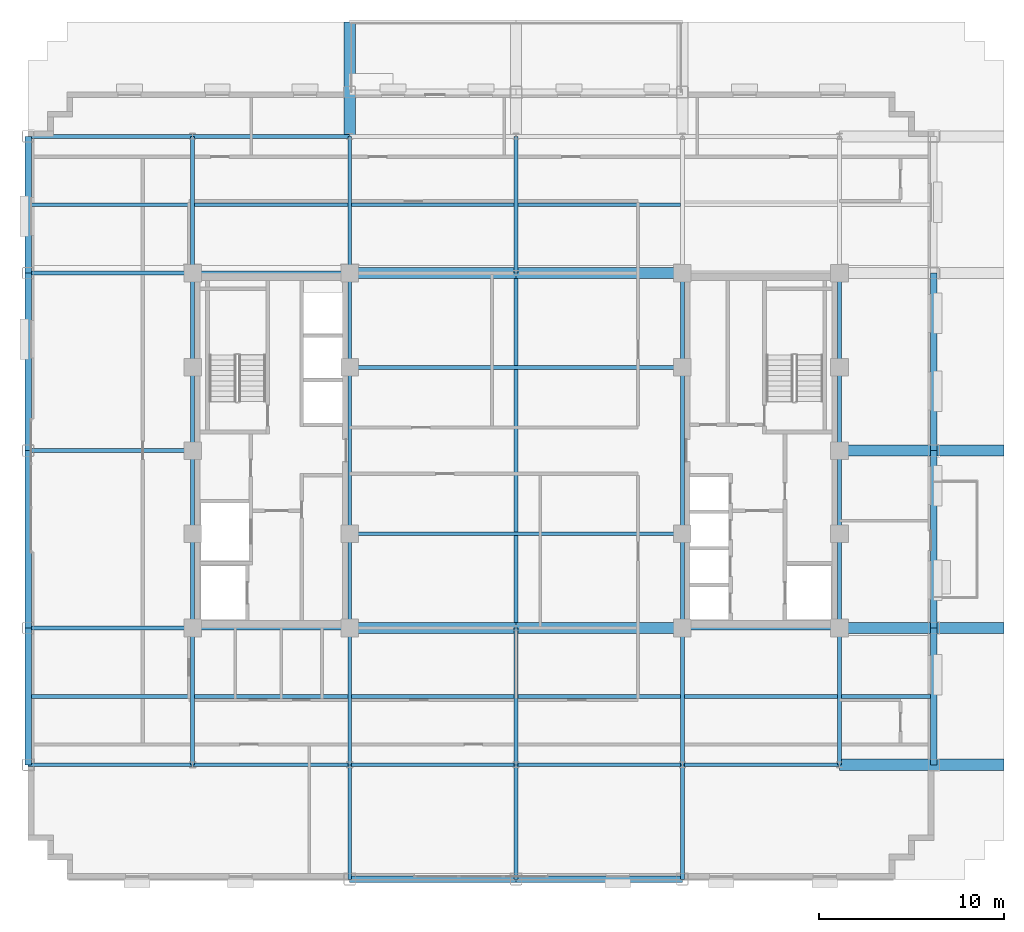
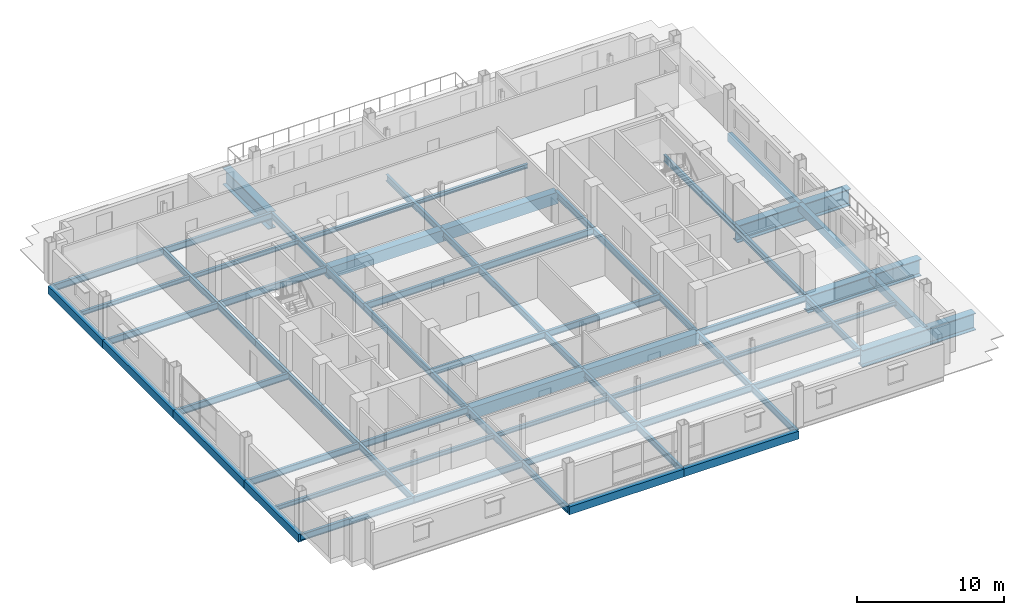
# One storey, part 5 of 17: 68 beams.
"""IFC4 building model written with IfcOpenShell, lengths in metres."""

from ifc_helpers import new_model, si_unit, direction, frame, origin, origin_2d, place, context, subcontext, project, spatial, rectangle, i_section, extrude, material, material_profile, profile_set, type_object, element, save


model = new_model("IFC4")

# Units and contexts
model_context = context("Model", 3, precision=1e-05, world=origin(), true_north=direction((0.0, 1.0)))
body_context = subcontext(model_context, "Body", "Model", "MODEL_VIEW")
ifc_project = project(units=[si_unit("LENGTHUNIT", "METRE"), si_unit("AREAUNIT", "SQUARE_METRE"), si_unit("VOLUMEUNIT", "CUBIC_METRE"), si_unit("PLANEANGLEUNIT", "RADIAN"), si_unit("MASSUNIT", "GRAM", prefix="KILO")], contexts=[model_context])

# Site, building, storey
site_placement = place(None, origin())
site = spatial("IfcSite", under=ifc_project, at=site_placement, CompositionType="ELEMENT")
building_placement = place(site_placement, origin())
building = spatial("IfcBuilding", under=site, at=building_placement, Name="Nuvemarco Arch Tower", CompositionType="ELEMENT")
storey_placement = place(building_placement, frame((0.0, 0.0, 167.64990234375)))
storey = spatial("IfcBuildingStorey", under=building, at=storey_placement, Name="L44", CompositionType="ELEMENT", Elevation=167.64990234375)

# Beams
ifc_material_1 = material(Name="Concrete C60/75", Category="concrete")
ifc_material_profile_1 = material_profile(ifc_material_1, rectangle(XDim=0.60009765625, YDim=0.949951171875, at=origin_2d()), Name="RC-BM-600x950")
ifc_profile_set_1 = profile_set([ifc_material_profile_1], Name="Concrete C60/75")
beam_type_1 = type_object("IfcBeamType", Name="BM-COUP-RC", PredefinedType="LINTEL", material=ifc_profile_set_1)
for number, where, z_axis, x_axis, name in (
    (1, (-9.0, -9.60009765625, -0.875), (1.0, 0.0, 0.0), (0.0, 1.0, 0.0), "L44 structural beam BGEW_L44_0_-9.6_-9.0"),
    (2, (0.0, -9.60009765625, -0.875), (1.0, 0.0, 0.0), (0.0, 1.0, 0.0), "L44 structural beam BGEW_L44_0_-9.6_+0.0"),
    (3, (-9.0, 9.60009765625, -0.875), (1.0, 0.0, 0.0), (0.0, 1.0, 0.0), "L44 structural beam BGEW_L44_0_+9.6_-9.0"),
    (4, (0.0, 9.60009765625, -0.875), (1.0, 0.0, 0.0), (0.0, 1.0, 0.0), "L44 structural beam BGEW_L44_0_+9.6_+0.0"),
):
    element("IfcBeam", number, at=place(storey_placement, frame(where, z_axis=z_axis, x_axis=x_axis)), inside=storey, type_object=beam_type_1, Name=name, PredefinedType="LINTEL", context=body_context, shape_type="SweptSolid", body=[
        extrude(rectangle(XDim=0.60009765625, YDim=0.949951171875, at=origin_2d()), origin(), (0.0, 0.0, 1.0), 9.0),
    ])
ifc_material_2 = material(Name="Steel S355", Category="steel")
ifc_material_profile_2 = material_profile(ifc_material_2, i_section(OverallWidth=0.2109375, OverallDepth=0.5390625, WebThickness=0.01171875, FlangeThickness=0.018798828125, FilletRadius=0.01611328125, at=origin_2d()), Name="W530x109")
ifc_profile_set_2 = profile_set([ifc_material_profile_2], Name="Steel S355")
beam_type_2 = type_object("IfcBeamType", Name="BM-GIRD-530", PredefinedType="BEAM", material=ifc_profile_set_2)
beam_1_placement = place(storey_placement, frame((-17.5, -17.0, -0.66943359375), z_axis=(0.0, 1.0, 0.0), x_axis=(-1.0, 0.0, 0.0)))
element("IfcBeam", 5, at=beam_1_placement, inside=storey, type_object=beam_type_2, Name="L44 structural beam BGNS_L44_0_-17.5_-17.0", PredefinedType="BEAM", context=body_context, shape_type="SweptSolid", body=[
    extrude(i_section(OverallWidth=0.2109375, OverallDepth=0.5390625, WebThickness=0.01171875, FlangeThickness=0.018798828125, FilletRadius=0.01611328125, at=origin_2d()), origin(), (0.0, 0.0, 1.0), 7.39990234375),
])
beam_2_placement = place(storey_placement, frame((-17.5, -9.60009765625, -0.66943359375), z_axis=(0.0, 1.0, 0.0), x_axis=(-1.0, 0.0, 0.0)))
element("IfcBeam", 6, at=beam_2_placement, inside=storey, type_object=beam_type_2, Name="L44 structural beam BGNS_L44_0_-17.5_-9.6", PredefinedType="BEAM", context=body_context, shape_type="SweptSolid", body=[
    extrude(i_section(OverallWidth=0.2109375, OverallDepth=0.5390625, WebThickness=0.01171875, FlangeThickness=0.018798828125, FilletRadius=0.01611328125, at=origin_2d()), origin(), (0.0, 0.0, 1.0), 5.10009765625),
])
for number, where, z_axis, x_axis, name in (
    (7, (-17.5, -4.5, -0.66943359375), (0.0, 1.0, 0.0), (-1.0, 0.0, 0.0), "L44 structural beam BGNS_L44_0_-17.5_-4.5"),
    (8, (-17.5, 0.0, -0.66943359375), (0.0, 1.0, 0.0), (-1.0, 0.0, 0.0), "L44 structural beam BGNS_L44_0_-17.5_+0.0"),
):
    element("IfcBeam", number, at=place(storey_placement, frame(where, z_axis=z_axis, x_axis=x_axis)), inside=storey, type_object=beam_type_2, Name=name, PredefinedType="BEAM", context=body_context, shape_type="SweptSolid", body=[
        extrude(i_section(OverallWidth=0.2109375, OverallDepth=0.5390625, WebThickness=0.01171875, FlangeThickness=0.018798828125, FilletRadius=0.01611328125, at=origin_2d()), origin(), (0.0, 0.0, 1.0), 4.5),
    ])
beam_3_placement = place(storey_placement, frame((-17.5, 4.5, -0.66943359375), z_axis=(0.0, 1.0, 0.0), x_axis=(-1.0, 0.0, 0.0)))
element("IfcBeam", 9, at=beam_3_placement, inside=storey, type_object=beam_type_2, Name="L44 structural beam BGNS_L44_0_-17.5_+4.5", PredefinedType="BEAM", context=body_context, shape_type="SweptSolid", body=[
    extrude(i_section(OverallWidth=0.2109375, OverallDepth=0.5390625, WebThickness=0.01171875, FlangeThickness=0.018798828125, FilletRadius=0.01611328125, at=origin_2d()), origin(), (0.0, 0.0, 1.0), 5.10009765625),
])
beam_4_placement = place(storey_placement, frame((-17.5, 9.60009765625, -0.66943359375), z_axis=(0.0, 1.0, 0.0), x_axis=(-1.0, 0.0, 0.0)))
element("IfcBeam", 10, at=beam_4_placement, inside=storey, type_object=beam_type_2, Name="L44 structural beam BGNS_L44_0_-17.5_+9.6", PredefinedType="BEAM", context=body_context, shape_type="SweptSolid", body=[
    extrude(i_section(OverallWidth=0.2109375, OverallDepth=0.5390625, WebThickness=0.01171875, FlangeThickness=0.018798828125, FilletRadius=0.01611328125, at=origin_2d()), origin(), (0.0, 0.0, 1.0), 7.39990234375),
])
beam_5_placement = place(storey_placement, frame((-9.0, -23.199951171875, -0.66943359375), z_axis=(0.0, 1.0, 0.0), x_axis=(-1.0, 0.0, 0.0)))
element("IfcBeam", 11, at=beam_5_placement, inside=storey, type_object=beam_type_2, Name="L44 structural beam BGNS_L44_0_-9.0_-23.2", PredefinedType="BEAM", context=body_context, shape_type="SweptSolid", body=[
    extrude(i_section(OverallWidth=0.2109375, OverallDepth=0.5390625, WebThickness=0.01171875, FlangeThickness=0.018798828125, FilletRadius=0.01611328125, at=origin_2d()), origin(), (0.0, 0.0, 1.0), 6.199951171875),
])
beam_6_placement = place(storey_placement, frame((-9.0, -17.0, -0.66943359375), z_axis=(0.0, 1.0, 0.0), x_axis=(-1.0, 0.0, 0.0)))
element("IfcBeam", 12, at=beam_6_placement, inside=storey, type_object=beam_type_2, Name="L44 structural beam BGNS_L44_0_-9.0_-17.0", PredefinedType="BEAM", context=body_context, shape_type="SweptSolid", body=[
    extrude(i_section(OverallWidth=0.2109375, OverallDepth=0.5390625, WebThickness=0.01171875, FlangeThickness=0.018798828125, FilletRadius=0.01611328125, at=origin_2d()), origin(), (0.0, 0.0, 1.0), 7.39990234375),
])
beam_7_placement = place(storey_placement, frame((-9.0, -9.60009765625, -0.66943359375), z_axis=(0.0, 1.0, 0.0), x_axis=(-1.0, 0.0, 0.0)))
element("IfcBeam", 13, at=beam_7_placement, inside=storey, type_object=beam_type_2, Name="L44 structural beam BGNS_L44_0_-9.0_-9.6", PredefinedType="BEAM", context=body_context, shape_type="SweptSolid", body=[
    extrude(i_section(OverallWidth=0.2109375, OverallDepth=0.5390625, WebThickness=0.01171875, FlangeThickness=0.018798828125, FilletRadius=0.01611328125, at=origin_2d()), origin(), (0.0, 0.0, 1.0), 5.10009765625),
])
beam_8_placement = place(storey_placement, frame((-9.0, -4.5, -0.66943359375), z_axis=(0.0, 1.0, 0.0), x_axis=(-1.0, 0.0, 0.0)))
element("IfcBeam", 14, at=beam_8_placement, inside=storey, type_object=beam_type_2, Name="L44 structural beam BGNS_L44_0_-9.0_-4.5", PredefinedType="BEAM", context=body_context, shape_type="SweptSolid", body=[
    extrude(i_section(OverallWidth=0.2109375, OverallDepth=0.5390625, WebThickness=0.01171875, FlangeThickness=0.018798828125, FilletRadius=0.01611328125, at=origin_2d()), origin(), (0.0, 0.0, 1.0), 9.0),
])
beam_9_placement = place(storey_placement, frame((-9.0, 4.5, -0.66943359375), z_axis=(0.0, 1.0, 0.0), x_axis=(-1.0, 0.0, 0.0)))
element("IfcBeam", 15, at=beam_9_placement, inside=storey, type_object=beam_type_2, Name="L44 structural beam BGNS_L44_0_-9.0_+4.5", PredefinedType="BEAM", context=body_context, shape_type="SweptSolid", body=[
    extrude(i_section(OverallWidth=0.2109375, OverallDepth=0.5390625, WebThickness=0.01171875, FlangeThickness=0.018798828125, FilletRadius=0.01611328125, at=origin_2d()), origin(), (0.0, 0.0, 1.0), 5.10009765625),
])
beam_10_placement = place(storey_placement, frame((-9.0, 9.60009765625, -0.66943359375), z_axis=(0.0, 1.0, 0.0), x_axis=(-1.0, 0.0, 0.0)))
element("IfcBeam", 16, at=beam_10_placement, inside=storey, type_object=beam_type_2, Name="L44 structural beam BGNS_L44_0_-9.0_+9.6", PredefinedType="BEAM", context=body_context, shape_type="SweptSolid", body=[
    extrude(i_section(OverallWidth=0.2109375, OverallDepth=0.5390625, WebThickness=0.01171875, FlangeThickness=0.018798828125, FilletRadius=0.01611328125, at=origin_2d()), origin(), (0.0, 0.0, 1.0), 7.39990234375),
])
beam_11_placement = place(storey_placement, frame((0.0, -23.199951171875, -0.66943359375), z_axis=(0.0, 1.0, 0.0), x_axis=(-1.0, 0.0, 0.0)))
element("IfcBeam", 17, at=beam_11_placement, inside=storey, type_object=beam_type_2, Name="L44 structural beam BGNS_L44_0_+0.0_-23.2", PredefinedType="BEAM", context=body_context, shape_type="SweptSolid", body=[
    extrude(i_section(OverallWidth=0.2109375, OverallDepth=0.5390625, WebThickness=0.01171875, FlangeThickness=0.018798828125, FilletRadius=0.01611328125, at=origin_2d()), origin(), (0.0, 0.0, 1.0), 6.199951171875),
])
beam_12_placement = place(storey_placement, frame((0.0, -17.0, -0.66943359375), z_axis=(0.0, 1.0, 0.0), x_axis=(-1.0, 0.0, 0.0)))
element("IfcBeam", 18, at=beam_12_placement, inside=storey, type_object=beam_type_2, Name="L44 structural beam BGNS_L44_0_+0.0_-17.0", PredefinedType="BEAM", context=body_context, shape_type="SweptSolid", body=[
    extrude(i_section(OverallWidth=0.2109375, OverallDepth=0.5390625, WebThickness=0.01171875, FlangeThickness=0.018798828125, FilletRadius=0.01611328125, at=origin_2d()), origin(), (0.0, 0.0, 1.0), 7.39990234375),
])
beam_13_placement = place(storey_placement, frame((0.0, -9.60009765625, -0.66943359375), z_axis=(0.0, 1.0, 0.0), x_axis=(-1.0, 0.0, 0.0)))
element("IfcBeam", 19, at=beam_13_placement, inside=storey, type_object=beam_type_2, Name="L44 structural beam BGNS_L44_0_+0.0_-9.6", PredefinedType="BEAM", context=body_context, shape_type="SweptSolid", body=[
    extrude(i_section(OverallWidth=0.2109375, OverallDepth=0.5390625, WebThickness=0.01171875, FlangeThickness=0.018798828125, FilletRadius=0.01611328125, at=origin_2d()), origin(), (0.0, 0.0, 1.0), 19.2001953125),
])
beam_14_placement = place(storey_placement, frame((0.0, 9.60009765625, -0.66943359375), z_axis=(0.0, 1.0, 0.0), x_axis=(-1.0, 0.0, 0.0)))
element("IfcBeam", 20, at=beam_14_placement, inside=storey, type_object=beam_type_2, Name="L44 structural beam BGNS_L44_0_+0.0_+9.6", PredefinedType="BEAM", context=body_context, shape_type="SweptSolid", body=[
    extrude(i_section(OverallWidth=0.2109375, OverallDepth=0.5390625, WebThickness=0.01171875, FlangeThickness=0.018798828125, FilletRadius=0.01611328125, at=origin_2d()), origin(), (0.0, 0.0, 1.0), 7.39990234375),
])
beam_15_placement = place(storey_placement, frame((9.0, -23.199951171875, -0.66943359375), z_axis=(0.0, 1.0, 0.0), x_axis=(-1.0, 0.0, 0.0)))
element("IfcBeam", 21, at=beam_15_placement, inside=storey, type_object=beam_type_2, Name="L44 structural beam BGNS_L44_0_+9.0_-23.2", PredefinedType="BEAM", context=body_context, shape_type="SweptSolid", body=[
    extrude(i_section(OverallWidth=0.2109375, OverallDepth=0.5390625, WebThickness=0.01171875, FlangeThickness=0.018798828125, FilletRadius=0.01611328125, at=origin_2d()), origin(), (0.0, 0.0, 1.0), 6.199951171875),
])
beam_16_placement = place(storey_placement, frame((9.0, -17.0, -0.66943359375), z_axis=(0.0, 1.0, 0.0), x_axis=(-1.0, 0.0, 0.0)))
element("IfcBeam", 22, at=beam_16_placement, inside=storey, type_object=beam_type_2, Name="L44 structural beam BGNS_L44_0_+9.0_-17.0", PredefinedType="BEAM", context=body_context, shape_type="SweptSolid", body=[
    extrude(i_section(OverallWidth=0.2109375, OverallDepth=0.5390625, WebThickness=0.01171875, FlangeThickness=0.018798828125, FilletRadius=0.01611328125, at=origin_2d()), origin(), (0.0, 0.0, 1.0), 7.39990234375),
])
beam_17_placement = place(storey_placement, frame((9.0, -9.60009765625, -0.66943359375), z_axis=(0.0, 1.0, 0.0), x_axis=(-1.0, 0.0, 0.0)))
element("IfcBeam", 23, at=beam_17_placement, inside=storey, type_object=beam_type_2, Name="L44 structural beam BGNS_L44_0_+9.0_-9.6", PredefinedType="BEAM", context=body_context, shape_type="SweptSolid", body=[
    extrude(i_section(OverallWidth=0.2109375, OverallDepth=0.5390625, WebThickness=0.01171875, FlangeThickness=0.018798828125, FilletRadius=0.01611328125, at=origin_2d()), origin(), (0.0, 0.0, 1.0), 5.10009765625),
])
beam_18_placement = place(storey_placement, frame((9.0, -4.5, -0.66943359375), z_axis=(0.0, 1.0, 0.0), x_axis=(-1.0, 0.0, 0.0)))
element("IfcBeam", 24, at=beam_18_placement, inside=storey, type_object=beam_type_2, Name="L44 structural beam BGNS_L44_0_+9.0_-4.5", PredefinedType="BEAM", context=body_context, shape_type="SweptSolid", body=[
    extrude(i_section(OverallWidth=0.2109375, OverallDepth=0.5390625, WebThickness=0.01171875, FlangeThickness=0.018798828125, FilletRadius=0.01611328125, at=origin_2d()), origin(), (0.0, 0.0, 1.0), 9.0),
])
beam_19_placement = place(storey_placement, frame((9.0, 4.5, -0.66943359375), z_axis=(0.0, 1.0, 0.0), x_axis=(-1.0, 0.0, 0.0)))
element("IfcBeam", 25, at=beam_19_placement, inside=storey, type_object=beam_type_2, Name="L44 structural beam BGNS_L44_0_+9.0_+4.5", PredefinedType="BEAM", context=body_context, shape_type="SweptSolid", body=[
    extrude(i_section(OverallWidth=0.2109375, OverallDepth=0.5390625, WebThickness=0.01171875, FlangeThickness=0.018798828125, FilletRadius=0.01611328125, at=origin_2d()), origin(), (0.0, 0.0, 1.0), 5.10009765625),
])
beam_20_placement = place(storey_placement, frame((17.5, -17.0, -0.66943359375), z_axis=(0.0, 1.0, 0.0), x_axis=(-1.0, 0.0, 0.0)))
element("IfcBeam", 26, at=beam_20_placement, inside=storey, type_object=beam_type_2, Name="L44 structural beam BGNS_L44_0_+17.5_-17.0", PredefinedType="BEAM", context=body_context, shape_type="SweptSolid", body=[
    extrude(i_section(OverallWidth=0.2109375, OverallDepth=0.5390625, WebThickness=0.01171875, FlangeThickness=0.018798828125, FilletRadius=0.01611328125, at=origin_2d()), origin(), (0.0, 0.0, 1.0), 7.39990234375),
])
beam_21_placement = place(storey_placement, frame((17.5, -9.60009765625, -0.66943359375), z_axis=(0.0, 1.0, 0.0), x_axis=(-1.0, 0.0, 0.0)))
element("IfcBeam", 27, at=beam_21_placement, inside=storey, type_object=beam_type_2, Name="L44 structural beam BGNS_L44_0_+17.5_-9.6", PredefinedType="BEAM", context=body_context, shape_type="SweptSolid", body=[
    extrude(i_section(OverallWidth=0.2109375, OverallDepth=0.5390625, WebThickness=0.01171875, FlangeThickness=0.018798828125, FilletRadius=0.01611328125, at=origin_2d()), origin(), (0.0, 0.0, 1.0), 5.10009765625),
])
for number, where, z_axis, x_axis, name in (
    (28, (17.5, -4.5, -0.66943359375), (0.0, 1.0, 0.0), (-1.0, 0.0, 0.0), "L44 structural beam BGNS_L44_0_+17.5_-4.5"),
    (29, (17.5, 0.0, -0.66943359375), (0.0, 1.0, 0.0), (-1.0, 0.0, 0.0), "L44 structural beam BGNS_L44_0_+17.5_+0.0"),
):
    element("IfcBeam", number, at=place(storey_placement, frame(where, z_axis=z_axis, x_axis=x_axis)), inside=storey, type_object=beam_type_2, Name=name, PredefinedType="BEAM", context=body_context, shape_type="SweptSolid", body=[
        extrude(i_section(OverallWidth=0.2109375, OverallDepth=0.5390625, WebThickness=0.01171875, FlangeThickness=0.018798828125, FilletRadius=0.01611328125, at=origin_2d()), origin(), (0.0, 0.0, 1.0), 4.5),
    ])
beam_22_placement = place(storey_placement, frame((17.5, 4.5, -0.66943359375), z_axis=(0.0, 1.0, 0.0), x_axis=(-1.0, 0.0, 0.0)))
element("IfcBeam", 30, at=beam_22_placement, inside=storey, type_object=beam_type_2, Name="L44 structural beam BGNS_L44_0_+17.5_+4.5", PredefinedType="BEAM", context=body_context, shape_type="SweptSolid", body=[
    extrude(i_section(OverallWidth=0.2109375, OverallDepth=0.5390625, WebThickness=0.01171875, FlangeThickness=0.018798828125, FilletRadius=0.01611328125, at=origin_2d()), origin(), (0.0, 0.0, 1.0), 5.10009765625),
])
beam_23_placement = place(storey_placement, frame((-26.39990234375, -17.0, -0.66943359375), z_axis=(1.0, 0.0, 0.0), x_axis=(0.0, 1.0, 0.0)))
element("IfcBeam", 31, at=beam_23_placement, inside=storey, type_object=beam_type_2, Name="L44 structural beam BGEW_L44_0_-17.0_-26.4", PredefinedType="BEAM", context=body_context, shape_type="SweptSolid", body=[
    extrude(i_section(OverallWidth=0.2109375, OverallDepth=0.5390625, WebThickness=0.01171875, FlangeThickness=0.018798828125, FilletRadius=0.01611328125, at=origin_2d()), origin(), (0.0, 0.0, 1.0), 8.89990234375),
])
beam_24_placement = place(storey_placement, frame((-17.5, -17.0, -0.66943359375), z_axis=(1.0, 0.0, 0.0), x_axis=(0.0, 1.0, 0.0)))
element("IfcBeam", 32, at=beam_24_placement, inside=storey, type_object=beam_type_2, Name="L44 structural beam BGEW_L44_0_-17.0_-17.5", PredefinedType="BEAM", context=body_context, shape_type="SweptSolid", body=[
    extrude(i_section(OverallWidth=0.2109375, OverallDepth=0.5390625, WebThickness=0.01171875, FlangeThickness=0.018798828125, FilletRadius=0.01611328125, at=origin_2d()), origin(), (0.0, 0.0, 1.0), 8.5),
])
for number, where, z_axis, x_axis, name in (
    (33, (-9.0, -17.0, -0.66943359375), (1.0, 0.0, 0.0), (0.0, 1.0, 0.0), "L44 structural beam BGEW_L44_0_-17.0_-9.0"),
    (34, (0.0, -17.0, -0.66943359375), (1.0, 0.0, 0.0), (0.0, 1.0, 0.0), "L44 structural beam BGEW_L44_0_-17.0_+0.0"),
):
    element("IfcBeam", number, at=place(storey_placement, frame(where, z_axis=z_axis, x_axis=x_axis)), inside=storey, type_object=beam_type_2, Name=name, PredefinedType="BEAM", context=body_context, shape_type="SweptSolid", body=[
        extrude(i_section(OverallWidth=0.2109375, OverallDepth=0.5390625, WebThickness=0.01171875, FlangeThickness=0.018798828125, FilletRadius=0.01611328125, at=origin_2d()), origin(), (0.0, 0.0, 1.0), 9.0),
    ])
beam_25_placement = place(storey_placement, frame((9.0, -17.0, -0.66943359375), z_axis=(1.0, 0.0, 0.0), x_axis=(0.0, 1.0, 0.0)))
element("IfcBeam", 35, at=beam_25_placement, inside=storey, type_object=beam_type_2, Name="L44 structural beam BGEW_L44_0_-17.0_+9.0", PredefinedType="BEAM", context=body_context, shape_type="SweptSolid", body=[
    extrude(i_section(OverallWidth=0.2109375, OverallDepth=0.5390625, WebThickness=0.01171875, FlangeThickness=0.018798828125, FilletRadius=0.01611328125, at=origin_2d()), origin(), (0.0, 0.0, 1.0), 8.5),
])
beam_26_placement = place(storey_placement, frame((-26.39990234375, -9.60009765625, -0.66943359375), z_axis=(1.0, 0.0, 0.0), x_axis=(0.0, 1.0, 0.0)))
element("IfcBeam", 36, at=beam_26_placement, inside=storey, type_object=beam_type_2, Name="L44 structural beam BGEW_L44_0_-9.6_-26.4", PredefinedType="BEAM", context=body_context, shape_type="SweptSolid", body=[
    extrude(i_section(OverallWidth=0.2109375, OverallDepth=0.5390625, WebThickness=0.01171875, FlangeThickness=0.018798828125, FilletRadius=0.01611328125, at=origin_2d()), origin(), (0.0, 0.0, 1.0), 8.89990234375),
])
for number, where, z_axis, x_axis, name in (
    (37, (-17.5, -9.60009765625, -0.66943359375), (1.0, 0.0, 0.0), (0.0, 1.0, 0.0), "L44 structural beam BGEW_L44_0_-9.6_-17.5"),
    (38, (9.0, -9.60009765625, -0.66943359375), (1.0, 0.0, 0.0), (0.0, 1.0, 0.0), "L44 structural beam BGEW_L44_0_-9.6_+9.0"),
):
    element("IfcBeam", number, at=place(storey_placement, frame(where, z_axis=z_axis, x_axis=x_axis)), inside=storey, type_object=beam_type_2, Name=name, PredefinedType="BEAM", context=body_context, shape_type="SweptSolid", body=[
        extrude(i_section(OverallWidth=0.2109375, OverallDepth=0.5390625, WebThickness=0.01171875, FlangeThickness=0.018798828125, FilletRadius=0.01611328125, at=origin_2d()), origin(), (0.0, 0.0, 1.0), 8.5),
    ])
beam_27_placement = place(storey_placement, frame((-9.0, -4.5, -0.66943359375), z_axis=(1.0, 0.0, 0.0), x_axis=(0.0, 1.0, 0.0)))
element("IfcBeam", 39, at=beam_27_placement, inside=storey, type_object=beam_type_2, Name="L44 structural beam BGEW_L44_0_-4.5_-9.0", PredefinedType="BEAM", context=body_context, shape_type="SweptSolid", body=[
    extrude(i_section(OverallWidth=0.2109375, OverallDepth=0.5390625, WebThickness=0.01171875, FlangeThickness=0.018798828125, FilletRadius=0.01611328125, at=origin_2d()), origin(), (0.0, 0.0, 1.0), 18.0),
])
beam_28_placement = place(storey_placement, frame((-26.39990234375, 0.0, -0.66943359375), z_axis=(1.0, 0.0, 0.0), x_axis=(0.0, 1.0, 0.0)))
element("IfcBeam", 40, at=beam_28_placement, inside=storey, type_object=beam_type_2, Name="L44 structural beam BGEW_L44_0_+0.0_-26.4", PredefinedType="BEAM", context=body_context, shape_type="SweptSolid", body=[
    extrude(i_section(OverallWidth=0.2109375, OverallDepth=0.5390625, WebThickness=0.01171875, FlangeThickness=0.018798828125, FilletRadius=0.01611328125, at=origin_2d()), origin(), (0.0, 0.0, 1.0), 8.89990234375),
])
beam_29_placement = place(storey_placement, frame((-9.0, 4.5, -0.66943359375), z_axis=(1.0, 0.0, 0.0), x_axis=(0.0, 1.0, 0.0)))
element("IfcBeam", 41, at=beam_29_placement, inside=storey, type_object=beam_type_2, Name="L44 structural beam BGEW_L44_0_+4.5_-9.0", PredefinedType="BEAM", context=body_context, shape_type="SweptSolid", body=[
    extrude(i_section(OverallWidth=0.2109375, OverallDepth=0.5390625, WebThickness=0.01171875, FlangeThickness=0.018798828125, FilletRadius=0.01611328125, at=origin_2d()), origin(), (0.0, 0.0, 1.0), 18.0),
])
beam_30_placement = place(storey_placement, frame((-26.39990234375, 9.60009765625, -0.66943359375), z_axis=(1.0, 0.0, 0.0), x_axis=(0.0, 1.0, 0.0)))
element("IfcBeam", 42, at=beam_30_placement, inside=storey, type_object=beam_type_2, Name="L44 structural beam BGEW_L44_0_+9.6_-26.4", PredefinedType="BEAM", context=body_context, shape_type="SweptSolid", body=[
    extrude(i_section(OverallWidth=0.2109375, OverallDepth=0.5390625, WebThickness=0.01171875, FlangeThickness=0.018798828125, FilletRadius=0.01611328125, at=origin_2d()), origin(), (0.0, 0.0, 1.0), 8.89990234375),
])
beam_31_placement = place(storey_placement, frame((-17.5, 9.60009765625, -0.66943359375), z_axis=(1.0, 0.0, 0.0), x_axis=(0.0, 1.0, 0.0)))
element("IfcBeam", 43, at=beam_31_placement, inside=storey, type_object=beam_type_2, Name="L44 structural beam BGEW_L44_0_+9.6_-17.5", PredefinedType="BEAM", context=body_context, shape_type="SweptSolid", body=[
    extrude(i_section(OverallWidth=0.2109375, OverallDepth=0.5390625, WebThickness=0.01171875, FlangeThickness=0.018798828125, FilletRadius=0.01611328125, at=origin_2d()), origin(), (0.0, 0.0, 1.0), 8.5),
])
beam_32_placement = place(storey_placement, frame((-26.39990234375, 17.0, -0.66943359375), z_axis=(1.0, 0.0, 0.0), x_axis=(0.0, 1.0, 0.0)))
element("IfcBeam", 44, at=beam_32_placement, inside=storey, type_object=beam_type_2, Name="L44 structural beam BGEW_L44_0_+17.0_-26.4", PredefinedType="BEAM", context=body_context, shape_type="SweptSolid", body=[
    extrude(i_section(OverallWidth=0.2109375, OverallDepth=0.5390625, WebThickness=0.01171875, FlangeThickness=0.018798828125, FilletRadius=0.01611328125, at=origin_2d()), origin(), (0.0, 0.0, 1.0), 8.89990234375),
])
beam_33_placement = place(storey_placement, frame((-17.5, 17.0, -0.66943359375), z_axis=(1.0, 0.0, 0.0), x_axis=(0.0, 1.0, 0.0)))
element("IfcBeam", 45, at=beam_33_placement, inside=storey, type_object=beam_type_2, Name="L44 structural beam BGEW_L44_0_+17.0_-17.5", PredefinedType="BEAM", context=body_context, shape_type="SweptSolid", body=[
    extrude(i_section(OverallWidth=0.2109375, OverallDepth=0.5390625, WebThickness=0.01171875, FlangeThickness=0.018798828125, FilletRadius=0.01611328125, at=origin_2d()), origin(), (0.0, 0.0, 1.0), 8.5),
])
ifc_material_profile_3 = material_profile(ifc_material_2, i_section(OverallWidth=0.202880859375, OverallDepth=0.346923828125, WebThickness=0.0078125, FlangeThickness=0.013427734375, FilletRadius=0.014892578125, at=origin_2d()), Name="W360x64")
ifc_profile_set_3 = profile_set([ifc_material_profile_3], Name="Steel S355")
beam_type_3 = type_object("IfcBeamType", Name="BM-JOIST-360", PredefinedType="JOIST", material=ifc_profile_set_3)
beam_34_placement = place(storey_placement, frame((-26.22509765625, -13.300048828125, -0.573486328125), z_axis=(1.0, 0.0, 0.0), x_axis=(0.0, 1.0, 0.0)))
element("IfcBeam", 46, at=beam_34_placement, inside=storey, type_object=beam_type_3, Name="L44 structural beam BJ_L44_0_-13.3_-26.4", PredefinedType="JOIST", context=body_context, shape_type="SweptSolid", body=[
    extrude(i_section(OverallWidth=0.202880859375, OverallDepth=0.346923828125, WebThickness=0.0078125, FlangeThickness=0.013427734375, FilletRadius=0.014892578125, at=origin_2d()), origin(), (0.0, 0.0, 1.0), 8.61962890625),
])
beam_35_placement = place(storey_placement, frame((-17.39453125, -13.300048828125, -0.573486328125), z_axis=(1.0, 0.0, 0.0), x_axis=(0.0, 1.0, 0.0)))
element("IfcBeam", 47, at=beam_35_placement, inside=storey, type_object=beam_type_3, Name="L44 structural beam BJ_L44_0_-13.3_-17.5", PredefinedType="JOIST", context=body_context, shape_type="SweptSolid", body=[
    extrude(i_section(OverallWidth=0.202880859375, OverallDepth=0.346923828125, WebThickness=0.0078125, FlangeThickness=0.013427734375, FilletRadius=0.014892578125, at=origin_2d()), origin(), (0.0, 0.0, 1.0), 8.2890625),
])
for number, where, z_axis, x_axis, name in (
    (48, (-8.89453125, -13.300048828125, -0.573486328125), (1.0, 0.0, 0.0), (0.0, 1.0, 0.0), "L44 structural beam BJ_L44_0_-13.3_-9.0"),
    (49, (0.10546875, -13.300048828125, -0.573486328125), (1.0, 0.0, 0.0), (0.0, 1.0, 0.0), "L44 structural beam BJ_L44_0_-13.3_+0.0"),
):
    element("IfcBeam", number, at=place(storey_placement, frame(where, z_axis=z_axis, x_axis=x_axis)), inside=storey, type_object=beam_type_3, Name=name, PredefinedType="JOIST", context=body_context, shape_type="SweptSolid", body=[
        extrude(i_section(OverallWidth=0.202880859375, OverallDepth=0.346923828125, WebThickness=0.0078125, FlangeThickness=0.013427734375, FilletRadius=0.014892578125, at=origin_2d()), origin(), (0.0, 0.0, 1.0), 8.7890625),
    ])
beam_36_placement = place(storey_placement, frame((9.10546875, -13.300048828125, -0.573486328125), z_axis=(1.0, 0.0, 0.0), x_axis=(0.0, 1.0, 0.0)))
element("IfcBeam", 50, at=beam_36_placement, inside=storey, type_object=beam_type_3, Name="L44 structural beam BJ_L44_0_-13.3_+9.0", PredefinedType="JOIST", context=body_context, shape_type="SweptSolid", body=[
    extrude(i_section(OverallWidth=0.202880859375, OverallDepth=0.346923828125, WebThickness=0.0078125, FlangeThickness=0.013427734375, FilletRadius=0.014892578125, at=origin_2d()), origin(), (0.0, 0.0, 1.0), 8.2890625),
])
beam_37_placement = place(storey_placement, frame((17.60546875, -13.300048828125, -0.573486328125), z_axis=(1.0, 0.0, 0.0), x_axis=(0.0, 1.0, 0.0)))
element("IfcBeam", 51, at=beam_37_placement, inside=storey, type_object=beam_type_3, Name="L44 structural beam BJ_L44_0_-13.3_+17.5", PredefinedType="JOIST", context=body_context, shape_type="SweptSolid", body=[
    extrude(i_section(OverallWidth=0.202880859375, OverallDepth=0.346923828125, WebThickness=0.0078125, FlangeThickness=0.013427734375, FilletRadius=0.014892578125, at=origin_2d()), origin(), (0.0, 0.0, 1.0), 4.819580078125),
])
beam_38_placement = place(storey_placement, frame((-26.22509765625, 13.300048828125, -0.573486328125), z_axis=(1.0, 0.0, 0.0), x_axis=(0.0, 1.0, 0.0)))
element("IfcBeam", 52, at=beam_38_placement, inside=storey, type_object=beam_type_3, Name="L44 structural beam BJ_L44_0_+13.3_-26.4", PredefinedType="JOIST", context=body_context, shape_type="SweptSolid", body=[
    extrude(i_section(OverallWidth=0.202880859375, OverallDepth=0.346923828125, WebThickness=0.0078125, FlangeThickness=0.013427734375, FilletRadius=0.014892578125, at=origin_2d()), origin(), (0.0, 0.0, 1.0), 8.61962890625),
])
beam_39_placement = place(storey_placement, frame((-17.39453125, 13.300048828125, -0.573486328125), z_axis=(1.0, 0.0, 0.0), x_axis=(0.0, 1.0, 0.0)))
element("IfcBeam", 53, at=beam_39_placement, inside=storey, type_object=beam_type_3, Name="L44 structural beam BJ_L44_0_+13.3_-17.5", PredefinedType="JOIST", context=body_context, shape_type="SweptSolid", body=[
    extrude(i_section(OverallWidth=0.202880859375, OverallDepth=0.346923828125, WebThickness=0.0078125, FlangeThickness=0.013427734375, FilletRadius=0.014892578125, at=origin_2d()), origin(), (0.0, 0.0, 1.0), 8.2890625),
])
for number, where, z_axis, x_axis, name in (
    (54, (-8.89453125, 13.300048828125, -0.573486328125), (1.0, 0.0, 0.0), (0.0, 1.0, 0.0), "L44 structural beam BJ_L44_0_+13.3_-9.0"),
    (55, (0.10546875, 13.300048828125, -0.573486328125), (1.0, 0.0, 0.0), (0.0, 1.0, 0.0), "L44 structural beam BJ_L44_0_+13.3_+0.0"),
):
    element("IfcBeam", number, at=place(storey_placement, frame(where, z_axis=z_axis, x_axis=x_axis)), inside=storey, type_object=beam_type_3, Name=name, PredefinedType="JOIST", context=body_context, shape_type="SweptSolid", body=[
        extrude(i_section(OverallWidth=0.202880859375, OverallDepth=0.346923828125, WebThickness=0.0078125, FlangeThickness=0.013427734375, FilletRadius=0.014892578125, at=origin_2d()), origin(), (0.0, 0.0, 1.0), 8.7890625),
    ])
ifc_material_3 = material(Name="Precast concrete C45/55", Category="concrete")
ifc_material_profile_4 = material_profile(ifc_material_3, rectangle(XDim=0.35009765625, YDim=0.64990234375, at=origin_2d()), Name="PC-SP-350x650")
ifc_profile_set_4 = profile_set([ifc_material_profile_4], Name="Precast concrete C45/55")
beam_type_4 = type_object("IfcBeamType", Name="BM-SPAN-RC", PredefinedType="SPANDREL", material=ifc_profile_set_4)
beam_40_placement = place(storey_placement, frame((-26.39990234375, -17.0, -0.724853515625), z_axis=(0.0, 1.0, 0.0), x_axis=(-1.0, 0.0, 0.0)))
element("IfcBeam", 56, at=beam_40_placement, inside=storey, type_object=beam_type_4, Name="L44 structural beam BGNS_L44_0_-26.4_-17.0", PredefinedType="SPANDREL", context=body_context, shape_type="SweptSolid", body=[
    extrude(rectangle(XDim=0.35009765625, YDim=0.64990234375, at=origin_2d()), origin(), (0.0, 0.0, 1.0), 7.39990234375),
])
for number, where, z_axis, x_axis, name in (
    (57, (-26.39990234375, -9.60009765625, -0.724853515625), (0.0, 1.0, 0.0), (-1.0, 0.0, 0.0), "L44 structural beam BGNS_L44_0_-26.4_-9.6"),
    (58, (-26.39990234375, 0.0, -0.724853515625), (0.0, 1.0, 0.0), (-1.0, 0.0, 0.0), "L44 structural beam BGNS_L44_0_-26.4_+0.0"),
):
    element("IfcBeam", number, at=place(storey_placement, frame(where, z_axis=z_axis, x_axis=x_axis)), inside=storey, type_object=beam_type_4, Name=name, PredefinedType="SPANDREL", context=body_context, shape_type="SweptSolid", body=[
        extrude(rectangle(XDim=0.35009765625, YDim=0.64990234375, at=origin_2d()), origin(), (0.0, 0.0, 1.0), 9.60009765625),
    ])
for number, where, z_axis, x_axis, name in (
    (59, (-26.39990234375, 9.60009765625, -0.724853515625), (0.0, 1.0, 0.0), (-1.0, 0.0, 0.0), "L44 structural beam BGNS_L44_0_-26.4_+9.6"),
    (60, (22.60009765625, -17.0, -0.724853515625), (0.0, 1.0, 0.0), (-1.0, 0.0, 0.0), "L44 structural beam BGNS_L44_0_+22.6_-17.0"),
):
    element("IfcBeam", number, at=place(storey_placement, frame(where, z_axis=z_axis, x_axis=x_axis)), inside=storey, type_object=beam_type_4, Name=name, PredefinedType="SPANDREL", context=body_context, shape_type="SweptSolid", body=[
        extrude(rectangle(XDim=0.35009765625, YDim=0.64990234375, at=origin_2d()), origin(), (0.0, 0.0, 1.0), 7.39990234375),
    ])
for number, where, z_axis, x_axis, name in (
    (61, (22.60009765625, -9.60009765625, -0.724853515625), (0.0, 1.0, 0.0), (-1.0, 0.0, 0.0), "L44 structural beam BGNS_L44_0_+22.6_-9.6"),
    (62, (22.60009765625, 0.0, -0.724853515625), (0.0, 1.0, 0.0), (-1.0, 0.0, 0.0), "L44 structural beam BGNS_L44_0_+22.6_+0.0"),
):
    element("IfcBeam", number, at=place(storey_placement, frame(where, z_axis=z_axis, x_axis=x_axis)), inside=storey, type_object=beam_type_4, Name=name, PredefinedType="SPANDREL", context=body_context, shape_type="SweptSolid", body=[
        extrude(rectangle(XDim=0.35009765625, YDim=0.64990234375, at=origin_2d()), origin(), (0.0, 0.0, 1.0), 9.60009765625),
    ])
for number, where, z_axis, x_axis, name in (
    (63, (-9.0, -23.199951171875, -0.724853515625), (1.0, 0.0, 0.0), (0.0, 1.0, 0.0), "L44 structural beam BGEW_L44_0_-23.2_-9.0"),
    (64, (0.0, -23.199951171875, -0.724853515625), (1.0, 0.0, 0.0), (0.0, 1.0, 0.0), "L44 structural beam BGEW_L44_0_-23.2_+0.0"),
):
    element("IfcBeam", number, at=place(storey_placement, frame(where, z_axis=z_axis, x_axis=x_axis)), inside=storey, type_object=beam_type_4, Name=name, PredefinedType="SPANDREL", context=body_context, shape_type="SweptSolid", body=[
        extrude(rectangle(XDim=0.35009765625, YDim=0.64990234375, at=origin_2d()), origin(), (0.0, 0.0, 1.0), 9.0),
    ])
ifc_material_4 = material(Name="Steel S460", Category="steel")
ifc_material_profile_5 = material_profile(ifc_material_4, i_section(OverallWidth=0.60009765625, OverallDepth=1.39990234375, WebThickness=0.031982421875, FlangeThickness=0.054931640625, FilletRadius=0.02001953125, at=origin_2d()), Name="PG1400x600")
ifc_profile_set_5 = profile_set([ifc_material_profile_5], Name="Steel S460")
beam_type_5 = type_object("IfcBeamType", Name="BM-TG-SETBACK", PredefinedType="BEAM", material=ifc_profile_set_5)
for number, where, z_axis, x_axis, name in (
    (65, (17.5, -17.0, -1.099853515625), (1.0, 0.0, 0.0), (0.0, 1.0, 0.0), "L44 structural beam TGS_L44_E_-17.0"),
    (66, (17.5, -9.60009765625, -1.099853515625), (1.0, 0.0, 0.0), (0.0, 1.0, 0.0), "L44 structural beam TGS_L44_E_-9.6"),
    (67, (17.5, 0.0, -1.099853515625), (1.0, 0.0, 0.0), (0.0, 1.0, 0.0), "L44 structural beam TGS_L44_E_+0.0"),
):
    element("IfcBeam", number, at=place(storey_placement, frame(where, z_axis=z_axis, x_axis=x_axis)), inside=storey, type_object=beam_type_5, Name=name, PredefinedType="BEAM", context=body_context, shape_type="SweptSolid", body=[
        extrude(i_section(OverallWidth=0.60009765625, OverallDepth=1.39990234375, WebThickness=0.031982421875, FlangeThickness=0.054931640625, FilletRadius=0.02001953125, at=origin_2d()), origin(), (0.0, 0.0, 1.0), 8.89990234375),
    ])
beam_41_placement = place(storey_placement, frame((-9.0, 17.0, -1.099853515625), z_axis=(0.0, 1.0, 0.0), x_axis=(-1.0, 0.0, 0.0)))
element("IfcBeam", 68, at=beam_41_placement, inside=storey, type_object=beam_type_5, Name="L44 structural beam TGS_L44_N_-9.0", PredefinedType="BEAM", context=body_context, shape_type="SweptSolid", body=[
    extrude(i_section(OverallWidth=0.60009765625, OverallDepth=1.39990234375, WebThickness=0.031982421875, FlangeThickness=0.054931640625, FilletRadius=0.02001953125, at=origin_2d()), origin(), (0.0, 0.0, 1.0), 6.199951171875),
])

save(model, "model.ifc")
